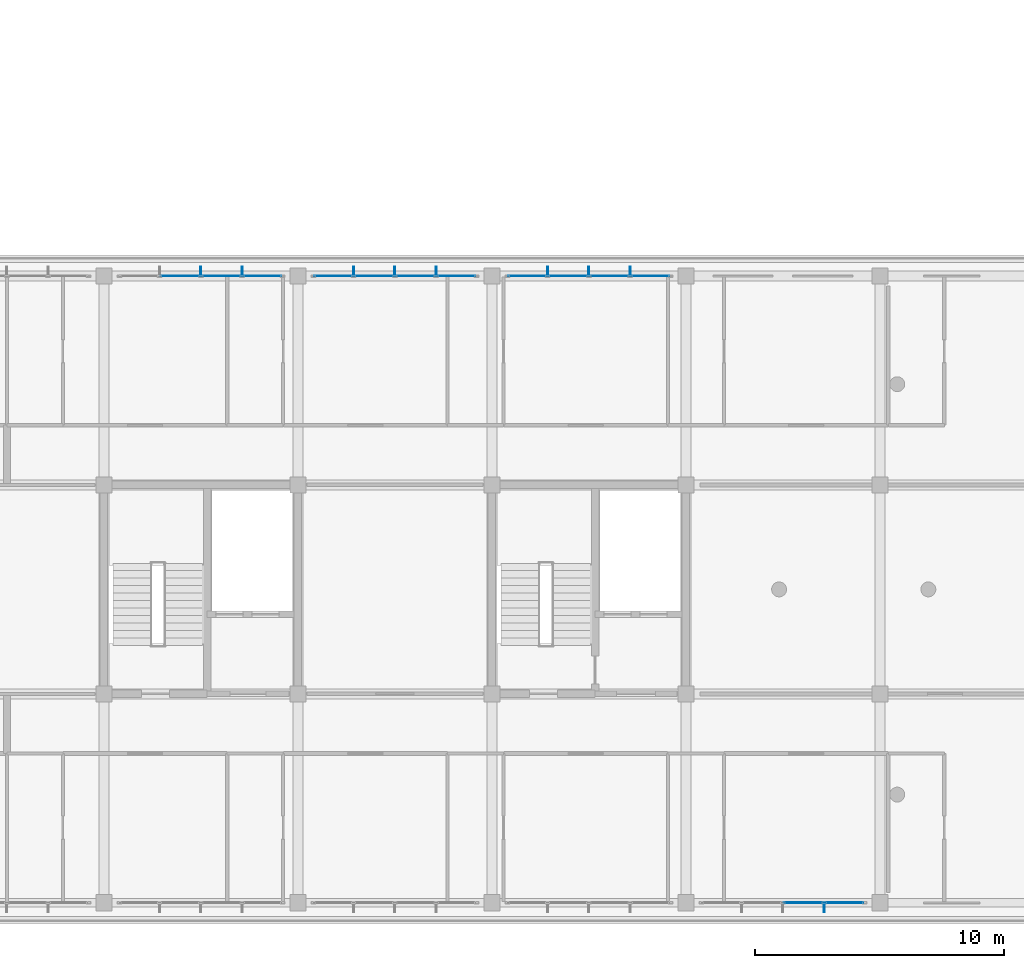
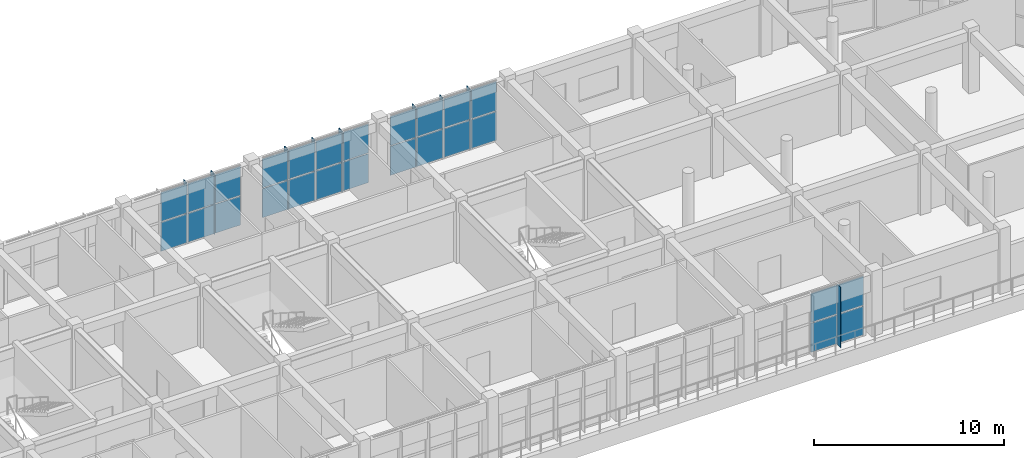
# One storey, part 46 of 57: 35 plates, 4 elements without a shape of their own.
"""IFC4 building model written with IfcOpenShell, lengths in metres."""

from ifc_helpers import new_model, si_unit, direction, frame, origin, origin_2d, place, context, subcontext, project, spatial, polyline, rectangle, outline, extrude, material, layer, layer_set, type_object, element, aggregate, save


model = new_model("IFC4")

# Units and contexts
model_context = context("Model", 3, precision=1e-05, world=origin(), true_north=direction((0.0, 1.0)))
body_context = subcontext(model_context, "Body", "Model", "MODEL_VIEW")
ifc_project = project(units=[si_unit("LENGTHUNIT", "METRE"), si_unit("AREAUNIT", "SQUARE_METRE"), si_unit("VOLUMEUNIT", "CUBIC_METRE"), si_unit("PLANEANGLEUNIT", "RADIAN"), si_unit("MASSUNIT", "GRAM", prefix="KILO")], contexts=[model_context])

# Site, building, storey
site_placement = place(None, origin())
site = spatial("IfcSite", under=ifc_project, at=site_placement, CompositionType="ELEMENT")
building_placement = place(site_placement, origin())
building = spatial("IfcBuilding", under=site, at=building_placement, Name="Zizhar Promenade General Hospital", CompositionType="ELEMENT")
storey_placement = place(building_placement, frame((0.0, 0.0, 22.199951171875)))
storey = spatial("IfcBuildingStorey", under=building, at=storey_placement, Name="L05", CompositionType="ELEMENT", Elevation=22.199951171875)

# Curtain wall, plates
ifc_material_1 = material(Name="Anodised aluminium 6063-T6 and low-E glass", Category="aluminium")
ifc_layer_1 = layer(ifc_material_1, 0.159912109375)
ifc_layer_set_1 = layer_set([ifc_layer_1], Name="Anodised aluminium 6063-T6 and low-E glass")
curtain_wall_type = type_object("IfcCurtainWallType", Name="CW-WARD-RIB", PredefinedType="NOTDEFINED", material=ifc_layer_set_1)
curtain_wall_1_placement = place(storey_placement, origin())
curtain_wall_1 = element("IfcCurtainWall", 1, at=curtain_wall_1_placement, inside=storey, type_object=curtain_wall_type, Name="Ward Ribbon Curtain Wall L05-8-6", PredefinedType="NOTDEFINED")
ifc_material_2 = material(Name="Low-E solar-control glass", Category="glass")
ifc_layer_2 = layer(ifc_material_2, 0.031982421875)
ifc_layer_set_2 = layer_set([ifc_layer_2], Name="Low-E solar-control glass")
plate_type_1 = type_object("IfcPlateType", Name="CWP-GLZ-32", PredefinedType="CURTAIN_PANEL", material=ifc_layer_set_2)
plate_1_placement = place(storey_placement, frame((81.070068359375, 25.199951171875, 0.06005859375), z_axis=(0.0, 0.0, 1.0), x_axis=(1.0, 0.0, 0.0)))
plate_1 = element("IfcPlate", 2, at=plate_1_placement, type_object=plate_type_1, Name="CW-13 panel 2.1", PredefinedType="CURTAIN_PANEL", context=body_context, shape_type="SweptSolid", body=[
    extrude(rectangle(XDim=1.580078125, YDim=0.031982421875, at=origin_2d()), origin(), (0.0, 0.0, 1.0), 1.860107421875),
])
plate_2_placement = place(storey_placement, frame((81.070068359375, 25.199951171875, 1.97998046875), z_axis=(0.0, 0.0, 1.0), x_axis=(1.0, 0.0, 0.0)))
plate_2 = element("IfcPlate", 3, at=plate_2_placement, type_object=plate_type_1, Name="CW-13 panel 2.2", PredefinedType="CURTAIN_PANEL", context=body_context, shape_type="SweptSolid", body=[
    extrude(rectangle(XDim=1.580078125, YDim=0.031982421875, at=origin_2d()), origin(), (0.0, 0.0, 1.0), 1.860107421875),
])
plate_3_placement = place(storey_placement, frame((82.72998046875, 25.199951171875, 0.06005859375), z_axis=(0.0, 0.0, 1.0), x_axis=(1.0, 0.0, 0.0)))
plate_3 = element("IfcPlate", 4, at=plate_3_placement, type_object=plate_type_1, Name="CW-13 panel 3.1", PredefinedType="CURTAIN_PANEL", context=body_context, shape_type="SweptSolid", body=[
    extrude(rectangle(XDim=1.580078125, YDim=0.031982421875, at=origin_2d()), origin(), (0.0, 0.0, 1.0), 1.860107421875),
])
plate_4_placement = place(storey_placement, frame((82.72998046875, 25.199951171875, 1.97998046875), z_axis=(0.0, 0.0, 1.0), x_axis=(1.0, 0.0, 0.0)))
plate_4 = element("IfcPlate", 5, at=plate_4_placement, type_object=plate_type_1, Name="CW-13 panel 3.2", PredefinedType="CURTAIN_PANEL", context=body_context, shape_type="SweptSolid", body=[
    extrude(rectangle(XDim=1.580078125, YDim=0.031982421875, at=origin_2d()), origin(), (0.0, 0.0, 1.0), 1.860107421875),
])
plate_5_placement = place(storey_placement, frame((84.3701171875, 25.199951171875, 0.06005859375), z_axis=(0.0, 0.0, 1.0), x_axis=(1.0, 0.0, 0.0)))
plate_5 = element("IfcPlate", 6, at=plate_5_placement, type_object=plate_type_1, Name="CW-13 panel 4.1", PredefinedType="CURTAIN_PANEL", context=body_context, shape_type="SweptSolid", body=[
    extrude(rectangle(XDim=1.5400390625, YDim=0.031982421875, at=origin_2d()), origin(), (0.0, 0.0, 1.0), 1.860107421875),
])
plate_6_placement = place(storey_placement, frame((84.3701171875, 25.199951171875, 1.97998046875), z_axis=(0.0, 0.0, 1.0), x_axis=(1.0, 0.0, 0.0)))
plate_6 = element("IfcPlate", 7, at=plate_6_placement, type_object=plate_type_1, Name="CW-13 panel 4.2", PredefinedType="CURTAIN_PANEL", context=body_context, shape_type="SweptSolid", body=[
    extrude(rectangle(XDim=1.5400390625, YDim=0.031982421875, at=origin_2d()), origin(), (0.0, 0.0, 1.0), 1.860107421875),
])
aggregate(curtain_wall_1, [plate_1, plate_2, plate_3, plate_4, plate_5, plate_6])

curtain_wall_2_placement = place(storey_placement, origin())
curtain_wall_2 = element("IfcCurtainWall", 8, at=curtain_wall_2_placement, inside=storey, type_object=curtain_wall_type, Name="Ward Ribbon Curtain Wall L05-8-7", PredefinedType="NOTDEFINED")
plate_7_placement = place(storey_placement, frame((87.22998046875, 25.199951171875, 0.06005859375), z_axis=(0.0, 0.0, 1.0), x_axis=(1.0, 0.0, 0.0)))
plate_7 = element("IfcPlate", 9, at=plate_7_placement, type_object=plate_type_1, Name="CW-13 panel 1.1", PredefinedType="CURTAIN_PANEL", context=body_context, shape_type="SweptSolid", body=[
    extrude(rectangle(XDim=1.5400390625, YDim=0.031982421875, at=origin_2d()), origin(), (0.0, 0.0, 1.0), 1.860107421875),
])
plate_8_placement = place(storey_placement, frame((87.22998046875, 25.199951171875, 1.97998046875), z_axis=(0.0, 0.0, 1.0), x_axis=(1.0, 0.0, 0.0)))
plate_8 = element("IfcPlate", 10, at=plate_8_placement, type_object=plate_type_1, Name="CW-13 panel 1.2", PredefinedType="CURTAIN_PANEL", context=body_context, shape_type="SweptSolid", body=[
    extrude(rectangle(XDim=1.5400390625, YDim=0.031982421875, at=origin_2d()), origin(), (0.0, 0.0, 1.0), 1.860107421875),
])
plate_9_placement = place(storey_placement, frame((88.8701171875, 25.199951171875, 0.06005859375), z_axis=(0.0, 0.0, 1.0), x_axis=(1.0, 0.0, 0.0)))
plate_9 = element("IfcPlate", 11, at=plate_9_placement, type_object=plate_type_1, Name="CW-13 panel 2.1", PredefinedType="CURTAIN_PANEL", context=body_context, shape_type="SweptSolid", body=[
    extrude(rectangle(XDim=1.580078125, YDim=0.031982421875, at=origin_2d()), origin(), (0.0, 0.0, 1.0), 1.860107421875),
])
plate_10_placement = place(storey_placement, frame((88.8701171875, 25.199951171875, 1.97998046875), z_axis=(0.0, 0.0, 1.0), x_axis=(1.0, 0.0, 0.0)))
plate_10 = element("IfcPlate", 12, at=plate_10_placement, type_object=plate_type_1, Name="CW-13 panel 2.2", PredefinedType="CURTAIN_PANEL", context=body_context, shape_type="SweptSolid", body=[
    extrude(rectangle(XDim=1.580078125, YDim=0.031982421875, at=origin_2d()), origin(), (0.0, 0.0, 1.0), 1.860107421875),
])
plate_11_placement = place(storey_placement, frame((90.530029296875, 25.199951171875, 0.06005859375), z_axis=(0.0, 0.0, 1.0), x_axis=(1.0, 0.0, 0.0)))
plate_11 = element("IfcPlate", 13, at=plate_11_placement, type_object=plate_type_1, Name="CW-13 panel 3.1", PredefinedType="CURTAIN_PANEL", context=body_context, shape_type="SweptSolid", body=[
    extrude(rectangle(XDim=1.580078125, YDim=0.031982421875, at=origin_2d()), origin(), (0.0, 0.0, 1.0), 1.860107421875),
])
plate_12_placement = place(storey_placement, frame((90.530029296875, 25.199951171875, 1.97998046875), z_axis=(0.0, 0.0, 1.0), x_axis=(1.0, 0.0, 0.0)))
plate_12 = element("IfcPlate", 14, at=plate_12_placement, type_object=plate_type_1, Name="CW-13 panel 3.2", PredefinedType="CURTAIN_PANEL", context=body_context, shape_type="SweptSolid", body=[
    extrude(rectangle(XDim=1.580078125, YDim=0.031982421875, at=origin_2d()), origin(), (0.0, 0.0, 1.0), 1.860107421875),
])
plate_13_placement = place(storey_placement, frame((92.169921875, 25.199951171875, 0.06005859375), z_axis=(0.0, 0.0, 1.0), x_axis=(1.0, 0.0, 0.0)))
plate_13 = element("IfcPlate", 15, at=plate_13_placement, type_object=plate_type_1, Name="CW-13 panel 4.1", PredefinedType="CURTAIN_PANEL", context=body_context, shape_type="SweptSolid", body=[
    extrude(rectangle(XDim=1.5400390625, YDim=0.031982421875, at=origin_2d()), origin(), (0.0, 0.0, 1.0), 1.860107421875),
])
plate_14_placement = place(storey_placement, frame((92.169921875, 25.199951171875, 1.97998046875), z_axis=(0.0, 0.0, 1.0), x_axis=(1.0, 0.0, 0.0)))
plate_14 = element("IfcPlate", 16, at=plate_14_placement, type_object=plate_type_1, Name="CW-13 panel 4.2", PredefinedType="CURTAIN_PANEL", context=body_context, shape_type="SweptSolid", body=[
    extrude(rectangle(XDim=1.5400390625, YDim=0.031982421875, at=origin_2d()), origin(), (0.0, 0.0, 1.0), 1.860107421875),
])
aggregate(curtain_wall_2, [plate_7, plate_8, plate_9, plate_10, plate_11, plate_12, plate_13, plate_14])

curtain_wall_3_placement = place(storey_placement, origin())
curtain_wall_3 = element("IfcCurtainWall", 17, at=curtain_wall_3_placement, inside=storey, type_object=curtain_wall_type, Name="Ward Ribbon Curtain Wall L05-8-8", PredefinedType="NOTDEFINED")
plate_15_placement = place(storey_placement, frame((95.030029296875, 25.199951171875, 0.06005859375), z_axis=(0.0, 0.0, 1.0), x_axis=(1.0, 0.0, 0.0)))
plate_15 = element("IfcPlate", 18, at=plate_15_placement, type_object=plate_type_1, Name="CW-13 panel 1.1", PredefinedType="CURTAIN_PANEL", context=body_context, shape_type="SweptSolid", body=[
    extrude(rectangle(XDim=1.5400390625, YDim=0.031982421875, at=origin_2d()), origin(), (0.0, 0.0, 1.0), 1.860107421875),
])
plate_16_placement = place(storey_placement, frame((95.030029296875, 25.199951171875, 1.97998046875), z_axis=(0.0, 0.0, 1.0), x_axis=(1.0, 0.0, 0.0)))
plate_16 = element("IfcPlate", 19, at=plate_16_placement, type_object=plate_type_1, Name="CW-13 panel 1.2", PredefinedType="CURTAIN_PANEL", context=body_context, shape_type="SweptSolid", body=[
    extrude(rectangle(XDim=1.5400390625, YDim=0.031982421875, at=origin_2d()), origin(), (0.0, 0.0, 1.0), 1.860107421875),
])
plate_17_placement = place(storey_placement, frame((96.669921875, 25.199951171875, 0.06005859375), z_axis=(0.0, 0.0, 1.0), x_axis=(1.0, 0.0, 0.0)))
plate_17 = element("IfcPlate", 20, at=plate_17_placement, type_object=plate_type_1, Name="CW-13 panel 2.1", PredefinedType="CURTAIN_PANEL", context=body_context, shape_type="SweptSolid", body=[
    extrude(rectangle(XDim=1.580078125, YDim=0.031982421875, at=origin_2d()), origin(), (0.0, 0.0, 1.0), 1.860107421875),
])
plate_18_placement = place(storey_placement, frame((96.669921875, 25.199951171875, 1.97998046875), z_axis=(0.0, 0.0, 1.0), x_axis=(1.0, 0.0, 0.0)))
plate_18 = element("IfcPlate", 21, at=plate_18_placement, type_object=plate_type_1, Name="CW-13 panel 2.2", PredefinedType="CURTAIN_PANEL", context=body_context, shape_type="SweptSolid", body=[
    extrude(rectangle(XDim=1.580078125, YDim=0.031982421875, at=origin_2d()), origin(), (0.0, 0.0, 1.0), 1.860107421875),
])
plate_19_placement = place(storey_placement, frame((98.330078125, 25.199951171875, 0.06005859375), z_axis=(0.0, 0.0, 1.0), x_axis=(1.0, 0.0, 0.0)))
plate_19 = element("IfcPlate", 22, at=plate_19_placement, type_object=plate_type_1, Name="CW-13 panel 3.1", PredefinedType="CURTAIN_PANEL", context=body_context, shape_type="SweptSolid", body=[
    extrude(rectangle(XDim=1.580078125, YDim=0.031982421875, at=origin_2d()), origin(), (0.0, 0.0, 1.0), 1.860107421875),
])
plate_20_placement = place(storey_placement, frame((98.330078125, 25.199951171875, 1.97998046875), z_axis=(0.0, 0.0, 1.0), x_axis=(1.0, 0.0, 0.0)))
plate_20 = element("IfcPlate", 23, at=plate_20_placement, type_object=plate_type_1, Name="CW-13 panel 3.2", PredefinedType="CURTAIN_PANEL", context=body_context, shape_type="SweptSolid", body=[
    extrude(rectangle(XDim=1.580078125, YDim=0.031982421875, at=origin_2d()), origin(), (0.0, 0.0, 1.0), 1.860107421875),
])
plate_21_placement = place(storey_placement, frame((99.969970703125, 25.199951171875, 0.06005859375), z_axis=(0.0, 0.0, 1.0), x_axis=(1.0, 0.0, 0.0)))
plate_21 = element("IfcPlate", 24, at=plate_21_placement, type_object=plate_type_1, Name="CW-13 panel 4.1", PredefinedType="CURTAIN_PANEL", context=body_context, shape_type="SweptSolid", body=[
    extrude(rectangle(XDim=1.5400390625, YDim=0.031982421875, at=origin_2d()), origin(), (0.0, 0.0, 1.0), 1.860107421875),
])
plate_22_placement = place(storey_placement, frame((99.969970703125, 25.199951171875, 1.97998046875), z_axis=(0.0, 0.0, 1.0), x_axis=(1.0, 0.0, 0.0)))
plate_22 = element("IfcPlate", 25, at=plate_22_placement, type_object=plate_type_1, Name="CW-13 panel 4.2", PredefinedType="CURTAIN_PANEL", context=body_context, shape_type="SweptSolid", body=[
    extrude(rectangle(XDim=1.5400390625, YDim=0.031982421875, at=origin_2d()), origin(), (0.0, 0.0, 1.0), 1.860107421875),
])
aggregate(curtain_wall_3, [plate_15, plate_16, plate_17, plate_18, plate_19, plate_20, plate_21, plate_22])

curtain_wall_4_placement = place(storey_placement, origin())
curtain_wall_4 = element("IfcCurtainWall", 26, at=curtain_wall_4_placement, inside=storey, type_object=curtain_wall_type, Name="Ward Ribbon Curtain Wall L05-17-1", PredefinedType="NOTDEFINED")
plate_23_placement = place(storey_placement, frame((107.77001953125, 0.0, 0.06005859375), z_axis=(0.0, 0.0, 1.0), x_axis=(-1.0, 0.0, 0.0)))
plate_23 = element("IfcPlate", 27, at=plate_23_placement, type_object=plate_type_1, Name="CW-13 panel 1.1", PredefinedType="CURTAIN_PANEL", context=body_context, shape_type="SweptSolid", body=[
    extrude(rectangle(XDim=1.5400390625, YDim=0.031982421875, at=origin_2d()), origin(), (0.0, 0.0, 1.0), 1.860107421875),
])
plate_24_placement = place(storey_placement, frame((107.77001953125, 0.0, 1.97998046875), z_axis=(0.0, 0.0, 1.0), x_axis=(-1.0, 0.0, 0.0)))
plate_24 = element("IfcPlate", 28, at=plate_24_placement, type_object=plate_type_1, Name="CW-13 panel 1.2", PredefinedType="CURTAIN_PANEL", context=body_context, shape_type="SweptSolid", body=[
    extrude(rectangle(XDim=1.5400390625, YDim=0.031982421875, at=origin_2d()), origin(), (0.0, 0.0, 1.0), 1.860107421875),
])
plate_25_placement = place(storey_placement, frame((106.1298828125, 0.0, 0.06005859375), z_axis=(0.0, 0.0, 1.0), x_axis=(-1.0, 0.0, 0.0)))
plate_25 = element("IfcPlate", 29, at=plate_25_placement, type_object=plate_type_1, Name="CW-13 panel 2.1", PredefinedType="CURTAIN_PANEL", context=body_context, shape_type="SweptSolid", body=[
    extrude(rectangle(XDim=1.580078125, YDim=0.031982421875, at=origin_2d()), origin(), (0.0, 0.0, 1.0), 1.860107421875),
])
plate_26_placement = place(storey_placement, frame((106.1298828125, 0.0, 1.97998046875), z_axis=(0.0, 0.0, 1.0), x_axis=(-1.0, 0.0, 0.0)))
plate_26 = element("IfcPlate", 30, at=plate_26_placement, type_object=plate_type_1, Name="CW-13 panel 2.2", PredefinedType="CURTAIN_PANEL", context=body_context, shape_type="SweptSolid", body=[
    extrude(rectangle(XDim=1.580078125, YDim=0.031982421875, at=origin_2d()), origin(), (0.0, 0.0, 1.0), 1.860107421875),
])
aggregate(curtain_wall_4, [plate_23, plate_24, plate_25, plate_26])

# Plates
ifc_material_3 = material(Name="Anodised aluminium 6063-T6", Category="aluminium")
ifc_layer_3 = layer(ifc_material_3, 0.035888671875)
ifc_layer_set_3 = layer_set([ifc_layer_3], Name="Anodised aluminium 6063-T6")
plate_type_2 = type_object("IfcPlateType", Name="FIN-ALU-380", PredefinedType="USERDEFINED", material=ifc_layer_set_3)
plate_27_placement = place(storey_placement, origin())
element("IfcPlate", 31, at=plate_27_placement, inside=storey, type_object=plate_type_2, Name="Ward Ribbon Curtain Wall L05-8-6 Solar Fin 2", ObjectType="SOLAR_SHADE", PredefinedType="USERDEFINED", context=body_context, shape_type="SweptSolid", body=[
    extrude(outline(polyline([(81.882080078125, 25.199951171875), (81.91796875, 25.199951171875), (81.91796875, 25.580078125), (81.882080078125, 25.580078125), (81.882080078125, 25.199951171875)])), origin(), (0.0, 0.0, 1.0), 3.900146484375),
])
plate_28_placement = place(storey_placement, origin())
element("IfcPlate", 32, at=plate_28_placement, inside=storey, type_object=plate_type_2, Name="Ward Ribbon Curtain Wall L05-8-6 Solar Fin 3", ObjectType="SOLAR_SHADE", PredefinedType="USERDEFINED", context=body_context, shape_type="SweptSolid", body=[
    extrude(outline(polyline([(83.5419921875, 25.199951171875), (83.577880859375, 25.199951171875), (83.577880859375, 25.580078125), (83.5419921875, 25.580078125), (83.5419921875, 25.199951171875)])), origin(), (0.0, 0.0, 1.0), 3.900146484375),
])
plate_29_placement = place(storey_placement, origin())
element("IfcPlate", 33, at=plate_29_placement, inside=storey, type_object=plate_type_2, Name="Ward Ribbon Curtain Wall L05-8-7 Solar Fin 1", ObjectType="SOLAR_SHADE", PredefinedType="USERDEFINED", context=body_context, shape_type="SweptSolid", body=[
    extrude(outline(polyline([(88.02197265625, 25.199951171875), (88.05810546875, 25.199951171875), (88.05810546875, 25.580078125), (88.02197265625, 25.580078125), (88.02197265625, 25.199951171875)])), origin(), (0.0, 0.0, 1.0), 3.900146484375),
])
plate_30_placement = place(storey_placement, origin())
element("IfcPlate", 34, at=plate_30_placement, inside=storey, type_object=plate_type_2, Name="Ward Ribbon Curtain Wall L05-8-7 Solar Fin 2", ObjectType="SOLAR_SHADE", PredefinedType="USERDEFINED", context=body_context, shape_type="SweptSolid", body=[
    extrude(outline(polyline([(89.681884765625, 25.199951171875), (89.718017578125, 25.199951171875), (89.718017578125, 25.580078125), (89.681884765625, 25.580078125), (89.681884765625, 25.199951171875)])), origin(), (0.0, 0.0, 1.0), 3.900146484375),
])
plate_31_placement = place(storey_placement, origin())
element("IfcPlate", 35, at=plate_31_placement, inside=storey, type_object=plate_type_2, Name="Ward Ribbon Curtain Wall L05-8-7 Solar Fin 3", ObjectType="SOLAR_SHADE", PredefinedType="USERDEFINED", context=body_context, shape_type="SweptSolid", body=[
    extrude(outline(polyline([(91.342041015625, 25.199951171875), (91.3779296875, 25.199951171875), (91.3779296875, 25.580078125), (91.342041015625, 25.580078125), (91.342041015625, 25.199951171875)])), origin(), (0.0, 0.0, 1.0), 3.900146484375),
])
plate_32_placement = place(storey_placement, origin())
element("IfcPlate", 36, at=plate_32_placement, inside=storey, type_object=plate_type_2, Name="Ward Ribbon Curtain Wall L05-8-8 Solar Fin 1", ObjectType="SOLAR_SHADE", PredefinedType="USERDEFINED", context=body_context, shape_type="SweptSolid", body=[
    extrude(outline(polyline([(95.822021484375, 25.199951171875), (95.85791015625, 25.199951171875), (95.85791015625, 25.580078125), (95.822021484375, 25.580078125), (95.822021484375, 25.199951171875)])), origin(), (0.0, 0.0, 1.0), 3.900146484375),
])
plate_33_placement = place(storey_placement, origin())
element("IfcPlate", 37, at=plate_33_placement, inside=storey, type_object=plate_type_2, Name="Ward Ribbon Curtain Wall L05-8-8 Solar Fin 2", ObjectType="SOLAR_SHADE", PredefinedType="USERDEFINED", context=body_context, shape_type="SweptSolid", body=[
    extrude(outline(polyline([(97.48193359375, 25.199951171875), (97.51806640625, 25.199951171875), (97.51806640625, 25.580078125), (97.48193359375, 25.580078125), (97.48193359375, 25.199951171875)])), origin(), (0.0, 0.0, 1.0), 3.900146484375),
])
plate_34_placement = place(storey_placement, origin())
element("IfcPlate", 38, at=plate_34_placement, inside=storey, type_object=plate_type_2, Name="Ward Ribbon Curtain Wall L05-8-8 Solar Fin 3", ObjectType="SOLAR_SHADE", PredefinedType="USERDEFINED", context=body_context, shape_type="SweptSolid", body=[
    extrude(outline(polyline([(99.14208984375, 25.199951171875), (99.177978515625, 25.199951171875), (99.177978515625, 25.580078125), (99.14208984375, 25.580078125), (99.14208984375, 25.199951171875)])), origin(), (0.0, 0.0, 1.0), 3.900146484375),
])
plate_35_placement = place(storey_placement, origin())
element("IfcPlate", 39, at=plate_35_placement, inside=storey, type_object=plate_type_2, Name="Ward Ribbon Curtain Wall L05-17-1 Solar Fin 1", ObjectType="SOLAR_SHADE", PredefinedType="USERDEFINED", context=body_context, shape_type="SweptSolid", body=[
    extrude(outline(polyline([(106.97802734375, 0.0), (106.94189453125, 0.0), (106.94189453125, -0.3798828125), (106.97802734375, -0.3798828125), (106.97802734375, 0.0)])), origin(), (0.0, 0.0, 1.0), 3.900146484375),
])

save(model, "model.ifc")
